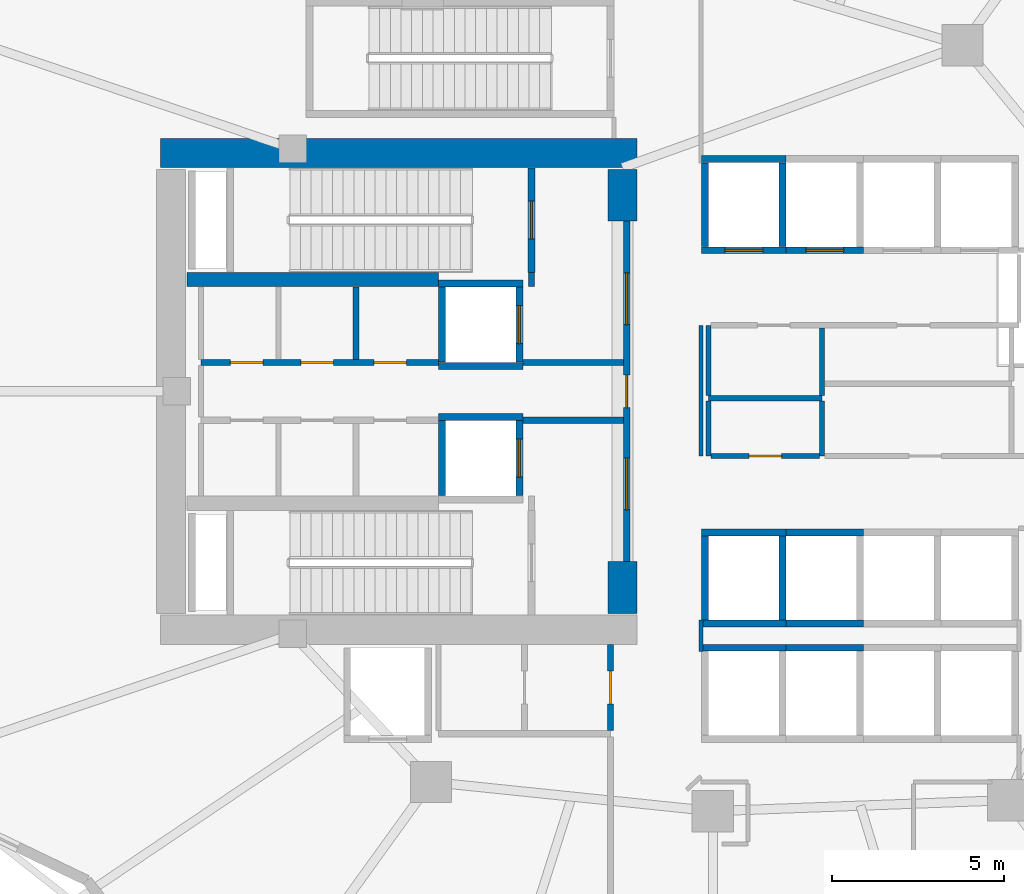
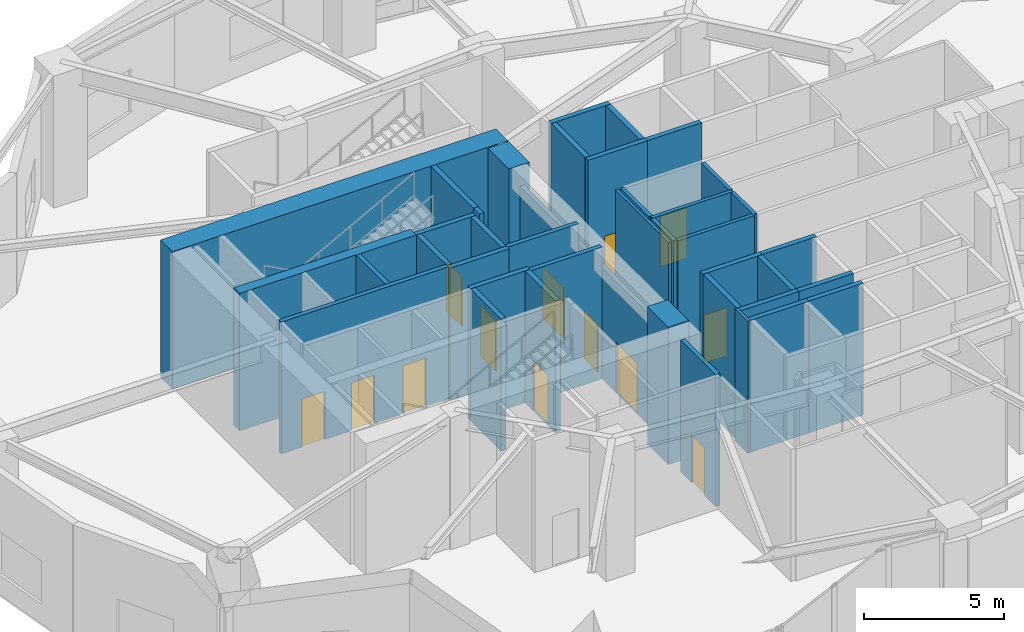
# One storey, part 16 of 25: 40 walls, 13 doors, 13 openings.
"""IFC4 building model written with IfcOpenShell, lengths in metres."""

from ifc_helpers import new_model, si_unit, direction, frame, frame_2d, origin, place, context, subcontext, project, spatial, rectangle, extrude, material, layer, layer_set, type_object, element, fill, save


model = new_model("IFC4")

# Units and contexts
model_context = context("Model", 3, precision=1e-05, world=origin(), true_north=direction((0.0, 1.0)))
body_context = subcontext(model_context, "Body", "Model", "MODEL_VIEW")
ifc_project = project(units=[si_unit("LENGTHUNIT", "METRE"), si_unit("AREAUNIT", "SQUARE_METRE"), si_unit("VOLUMEUNIT", "CUBIC_METRE"), si_unit("PLANEANGLEUNIT", "RADIAN"), si_unit("MASSUNIT", "GRAM", prefix="KILO")], contexts=[model_context])

# Site, building, storey
site_placement = place(None, origin())
site = spatial("IfcSite", under=ifc_project, at=site_placement, CompositionType="ELEMENT")
building_placement = place(site_placement, origin())
building = spatial("IfcBuilding", under=site, at=building_placement, Name="Kolvaren Gate Tower and Convention Centre", CompositionType="ELEMENT")
storey_placement = place(building_placement, frame((0.0, 0.0, 15.0)))
storey = spatial("IfcBuildingStorey", under=building, at=storey_placement, Name="L03", CompositionType="ELEMENT", Elevation=15.0)

# Wall
ifc_material_1 = material(Name="Autoclaved Aerated Masonry Blockwork Class 4 (4.0 MPa)", Category="masonry")
ifc_layer_1 = layer(ifc_material_1, 0.179931640625)
ifc_layer_set_1 = layer_set([ifc_layer_1], Name="Autoclaved Aerated Masonry Blockwork Class 4 (4.0 MPa)")
wall_type_1 = type_object("IfcWallType", Name="ARCH-WL-COMP-180", PredefinedType="SOLIDWALL", material=ifc_layer_set_1)
wall_1_placement = place(storey_placement, frame((24.85009765625, 30.0400390625, 0.0), z_axis=(0.0, 0.0, 1.0), x_axis=(0.0, 1.0, 0.0)))
element("IfcWall", 1, at=wall_1_placement, inside=storey, type_object=wall_type_1, Name="Interior Partition WL-L03-INT-002", PredefinedType="SOLIDWALL", context=body_context, shape_type="SweptSolid", body=[
    extrude(rectangle(XDim=0.419921875, YDim=0.179931640625, at=frame_2d((0.2099609375, 0.0))), origin(), (0.0, 0.0, 1.0), 5.760009765625),
])

# Wall, openings, doors
wall_2_placement = place(storey_placement, frame((27.6201171875, 22.050048828125, 0.0), z_axis=(0.0, 0.0, 1.0), x_axis=(0.0, 1.0, 0.0)))
wall_2 = element("IfcWall", 2, at=wall_2_placement, inside=storey, type_object=wall_type_1, Name="Interior Partition WL-L03-INT-003", PredefinedType="SOLIDWALL", context=body_context, shape_type="SweptSolid", body=[
    extrude(rectangle(XDim=9.89990234375, YDim=0.179931640625, at=frame_2d((4.949951171875, 0.0))), origin(), (0.0, 0.0, 1.0), 4.85205078125),
])
opening_1_placement = place(wall_2_placement, frame((4.47509765625, 0.0, 0.0)))
opening_1 = element("IfcOpeningElement", 3, at=opening_1_placement, cuts=wall_2, Name="Opening DR-01", PredefinedType="OPENING", context=body_context, shape_type="SweptSolid", body=[
    extrude(rectangle(XDim=0.949951171875, YDim=2.10009765625, at=frame_2d((0.47509765625, 1.050048828125))), frame((0.0, 0.099853515625, 0.0), z_axis=(0.0, -1.0, 0.0), x_axis=(1.0, 0.0, 0.0)), (0.0, 0.0, 1.0), 0.199951171875),
])
opening_2_placement = place(wall_2_placement, frame((6.889892578125, 0.0, 0.0)))
opening_2 = element("IfcOpeningElement", 4, at=opening_2_placement, cuts=wall_2, Name="Opening DL-01", PredefinedType="OPENING", context=body_context, shape_type="SweptSolid", body=[
    extrude(rectangle(XDim=1.5, YDim=2.199951171875, at=frame_2d((0.75, 1.10009765625))), frame((0.0, 0.099853515625, 0.0), z_axis=(0.0, -1.0, 0.0), x_axis=(1.0, 0.0, 0.0)), (0.0, 0.0, 1.0), 0.199951171875),
])
opening_3_placement = place(wall_2_placement, frame((1.510009765625, 0.0, 0.0)))
opening_3 = element("IfcOpeningElement", 5, at=opening_3_placement, cuts=wall_2, Name="Opening DL-01", PredefinedType="OPENING", context=body_context, shape_type="SweptSolid", body=[
    extrude(rectangle(XDim=1.5, YDim=2.199951171875, at=frame_2d((0.75, 1.10009765625))), frame((0.0, 0.099853515625, 0.0), z_axis=(0.0, -1.0, 0.0), x_axis=(1.0, 0.0, 0.0)), (0.0, 0.0, 1.0), 0.199951171875),
])
ifc_material_2 = material(Name="Painted Architectural Steelwork ASTM A500 Grade C 345 MPa", Category="steel")
door_type_1 = type_object("IfcDoorType", Name="ARCH-DR-LOBBY-1500", OperationType="DOUBLE_DOOR_SINGLE_SWING", PredefinedType="DOOR", material=ifc_material_2)
door_1_placement = place(opening_2_placement, origin())
door_1 = element("IfcDoor", 6, at=door_1_placement, inside=storey, type_object=door_type_1, Name="North Firefighting Stair and Lift Lobby Door", OperationType="DOUBLE_DOOR_SINGLE_SWING", OverallHeight=2.199951171875, OverallWidth=1.5, PredefinedType="DOOR", context=body_context, shape_type="SweptSolid", body=[
    extrude(rectangle(XDim=1.5, YDim=2.199951171875, at=frame_2d((0.75, 1.10009765625))), frame((0.0, 0.02490234375, 0.0), z_axis=(0.0, -1.0, 0.0), x_axis=(1.0, 0.0, 0.0)), (0.0, 0.0, 1.0), 0.050048828125),
])
fill(opening_2, door_1)
door_2_placement = place(opening_3_placement, origin())
door_2 = element("IfcDoor", 7, at=door_2_placement, inside=storey, type_object=door_type_1, Name="South Firefighting Stair and Lift Lobby Door", OperationType="DOUBLE_DOOR_SINGLE_SWING", OverallHeight=2.199951171875, OverallWidth=1.5, PredefinedType="DOOR", context=body_context, shape_type="SweptSolid", body=[
    extrude(rectangle(XDim=1.5, YDim=2.199951171875, at=frame_2d((0.75, 1.10009765625))), frame((0.0, 0.02490234375, 0.0), z_axis=(0.0, -1.0, 0.0), x_axis=(1.0, 0.0, 0.0)), (0.0, 0.0, 1.0), 0.050048828125),
])
fill(opening_3, door_2)
door_type_2 = type_object("IfcDoorType", Name="ARCH-DR-RISER-950", OperationType="SINGLE_SWING_RIGHT", PredefinedType="DOOR", material=ifc_material_2)
door_3_placement = place(opening_1_placement, origin())
door_3 = element("IfcDoor", 8, at=door_3_placement, inside=storey, type_object=door_type_2, Name="Central MEP Service Corridor Door", OperationType="SINGLE_SWING_RIGHT", OverallHeight=2.10009765625, OverallWidth=0.949951171875, PredefinedType="DOOR", context=body_context, shape_type="SweptSolid", body=[
    extrude(rectangle(XDim=0.949951171875, YDim=2.10009765625, at=frame_2d((0.47509765625, 1.050048828125))), frame((0.0, 0.02490234375, 0.0), z_axis=(0.0, -1.0, 0.0), x_axis=(1.0, 0.0, 0.0)), (0.0, 0.0, 1.0), 0.050048828125),
])
fill(opening_1, door_3)

wall_3_placement = place(storey_placement, frame((15.25, 27.840087890625, 0.0), z_axis=(0.0, 0.0, 1.0), x_axis=(1.0, 0.0, 0.0)))
wall_3 = element("IfcWall", 9, at=wall_3_placement, inside=storey, type_object=wall_type_1, Name="Interior Partition WL-L03-INT-004", PredefinedType="SOLIDWALL", context=body_context, shape_type="SweptSolid", body=[
    extrude(rectangle(XDim=6.89990234375, YDim=0.179931640625, at=frame_2d((3.449951171875, 0.0))), origin(), (0.0, 0.0, 1.0), 5.760009765625),
])
opening_4_placement = place(wall_3_placement, frame((5.02001953125, 0.0, 0.0)))
opening_4 = element("IfcOpeningElement", 10, at=opening_4_placement, cuts=wall_3, Name="Opening DR-01", PredefinedType="OPENING", context=body_context, shape_type="SweptSolid", body=[
    extrude(rectangle(XDim=0.949951171875, YDim=2.10009765625, at=frame_2d((0.47509765625, 1.050048828125))), frame((0.0, 0.099853515625, 0.0), z_axis=(0.0, -1.0, 0.0), x_axis=(1.0, 0.0, 0.0)), (0.0, 0.0, 1.0), 0.199951171875),
])
opening_5_placement = place(wall_3_placement, frame((0.85498046875, 0.0, 0.0)))
opening_5 = element("IfcOpeningElement", 11, at=opening_5_placement, cuts=wall_3, Name="Opening DR-01", PredefinedType="OPENING", context=body_context, shape_type="SweptSolid", body=[
    extrude(rectangle(XDim=0.949951171875, YDim=2.10009765625, at=frame_2d((0.47509765625, 1.050048828125))), frame((0.0, 0.099853515625, 0.0), z_axis=(0.0, -1.0, 0.0), x_axis=(1.0, 0.0, 0.0)), (0.0, 0.0, 1.0), 0.199951171875),
])
opening_6_placement = place(wall_3_placement, frame((2.89990234375, 0.0, 0.0)))
opening_6 = element("IfcOpeningElement", 12, at=opening_6_placement, cuts=wall_3, Name="Opening DR-01", PredefinedType="OPENING", context=body_context, shape_type="SweptSolid", body=[
    extrude(rectangle(XDim=0.949951171875, YDim=2.10009765625, at=frame_2d((0.47509765625, 1.050048828125))), frame((0.0, 0.099853515625, 0.0), z_axis=(0.0, -1.0, 0.0), x_axis=(1.0, 0.0, 0.0)), (0.0, 0.0, 1.0), 0.199951171875),
])
door_4_placement = place(opening_4_placement, origin())
door_4 = element("IfcDoor", 13, at=door_4_placement, inside=storey, type_object=door_type_2, Name="Electrical Switchgear Closet Door", OperationType="SINGLE_SWING_LEFT", OverallHeight=2.10009765625, OverallWidth=0.949951171875, PredefinedType="DOOR", context=body_context, shape_type="SweptSolid", body=[
    extrude(rectangle(XDim=0.949951171875, YDim=2.10009765625, at=frame_2d((0.47509765625, 1.050048828125))), frame((0.0, 0.02490234375, 0.0), z_axis=(0.0, -1.0, 0.0), x_axis=(1.0, 0.0, 0.0)), (0.0, 0.0, 1.0), 0.050048828125),
])
fill(opening_4, door_4)
door_5_placement = place(opening_5_placement, origin())
door_5 = element("IfcDoor", 14, at=door_5_placement, inside=storey, type_object=door_type_2, Name="Staff Accessible WC Door", OperationType="SINGLE_SWING_LEFT", OverallHeight=2.10009765625, OverallWidth=0.949951171875, PredefinedType="DOOR", context=body_context, shape_type="SweptSolid", body=[
    extrude(rectangle(XDim=0.949951171875, YDim=2.10009765625, at=frame_2d((0.47509765625, 1.050048828125))), frame((0.0, 0.02490234375, 0.0), z_axis=(0.0, -1.0, 0.0), x_axis=(1.0, 0.0, 0.0)), (0.0, 0.0, 1.0), 0.050048828125),
])
fill(opening_5, door_5)
door_6_placement = place(opening_6_placement, origin())
door_6 = element("IfcDoor", 15, at=door_6_placement, inside=storey, type_object=door_type_2, Name="Housekeeping Sink Closet Door", OperationType="SINGLE_SWING_RIGHT", OverallHeight=2.10009765625, OverallWidth=0.949951171875, PredefinedType="DOOR", context=body_context, shape_type="SweptSolid", body=[
    extrude(rectangle(XDim=0.949951171875, YDim=2.10009765625, at=frame_2d((0.47509765625, 1.050048828125))), frame((0.0, 0.02490234375, 0.0), z_axis=(0.0, -1.0, 0.0), x_axis=(1.0, 0.0, 0.0)), (0.0, 0.0, 1.0), 0.050048828125),
])
fill(opening_6, door_6)

# Walls
for number, where, z_axis, x_axis, name in (
    (16, (24.60009765625, 27.840087890625, 0.0), (0.0, 0.0, 1.0), (1.0, 0.0, 0.0), "Interior Partition WL-L03-INT-004 (2)"),
    (17, (24.60009765625, 26.159912109375, 0.0), (0.0, 0.0, 1.0), (1.0, 0.0, 0.0), "Interior Partition WL-L03-INT-005 (2)"),
):
    element("IfcWall", number, at=place(storey_placement, frame(where, z_axis=z_axis, x_axis=x_axis)), inside=storey, type_object=wall_type_1, Name=name, PredefinedType="SOLIDWALL", context=body_context, shape_type="SweptSolid", body=[
        extrude(rectangle(XDim=2.927978515625, YDim=0.179931640625, at=frame_2d((1.4638671875, 0.0))), origin(), (0.0, 0.0, 1.0), 5.760009765625),
    ])
wall_4_placement = place(storey_placement, frame((19.75, 27.931884765625, 0.0), z_axis=(0.0, 0.0, 1.0), x_axis=(0.0, 1.0, 0.0)))
element("IfcWall", 18, at=wall_4_placement, inside=storey, type_object=wall_type_1, Name="Interior Partition WL-L03-INT-008", PredefinedType="SOLIDWALL", context=body_context, shape_type="SweptSolid", body=[
    extrude(rectangle(XDim=2.106201171875, YDim=0.179931640625, at=frame_2d((1.05322265625, 0.0))), origin(), (0.0, 0.0, 1.0), 5.760009765625),
])

# Wall, opening, door
wall_5_placement = place(storey_placement, frame((27.14990234375, 17.14208984375, 0.0), z_axis=(0.0, 0.0, 1.0), x_axis=(0.0, 1.0, 0.0)))
wall_5 = element("IfcWall", 19, at=wall_5_placement, inside=storey, type_object=wall_type_1, Name="Interior Partition WL-L03-INT-014 (2)", PredefinedType="SOLIDWALL", context=body_context, shape_type="SweptSolid", body=[
    extrude(rectangle(XDim=2.505859375, YDim=0.179931640625, at=frame_2d((1.2529296875, 0.0))), origin(), (0.0, 0.0, 1.0), 5.760009765625),
])
opening_7_placement = place(wall_5_placement, frame((0.778076171875, 0.0, 0.0)))
opening_7 = element("IfcOpeningElement", 20, at=opening_7_placement, cuts=wall_5, Name="Opening DR-01", PredefinedType="OPENING", context=body_context, shape_type="SweptSolid", body=[
    extrude(rectangle(XDim=0.949951171875, YDim=2.10009765625, at=frame_2d((0.47509765625, 1.050048828125))), frame((0.0, 0.099853515625, 0.0), z_axis=(0.0, -1.0, 0.0), x_axis=(1.0, 0.0, 0.0)), (0.0, 0.0, 1.0), 0.199951171875),
])
door_7_placement = place(opening_7_placement, origin())
door_7 = element("IfcDoor", 21, at=door_7_placement, inside=storey, type_object=door_type_2, Name="Metering Switch Room Door", OperationType="SINGLE_SWING_LEFT", OverallHeight=2.10009765625, OverallWidth=0.949951171875, PredefinedType="DOOR", context=body_context, shape_type="SweptSolid", body=[
    extrude(rectangle(XDim=0.949951171875, YDim=2.10009765625, at=frame_2d((0.47509765625, 1.050048828125))), frame((0.0, 0.02490234375, 0.0), z_axis=(0.0, -1.0, 0.0), x_axis=(1.0, 0.0, 0.0)), (0.0, 0.0, 1.0), 0.050048828125),
])
fill(opening_7, door_7)

# Walls
ifc_material_3 = material(Name="Fire-Rated Acoustic Gypsum Stud Partition", Category="gypsum")
ifc_layer_2 = layer(ifc_material_3, 0.1201171875)
ifc_layer_set_2 = layer_set([ifc_layer_2], Name="Fire-Rated Acoustic Gypsum Stud Partition")
wall_type_2 = type_object("IfcWallType", Name="ARCH-WL-PART-120", PredefinedType="PARTITIONING", material=ifc_layer_set_2)
wall_6_placement = place(storey_placement, frame((29.780029296875, 19.43994140625, 0.0), z_axis=(0.0, 0.0, 1.0), x_axis=(0.0, 1.0, 0.0)))
element("IfcWall", 22, at=wall_6_placement, inside=storey, type_object=wall_type_2, Name="Interior Partition WL-L03-INT-028", PredefinedType="PARTITIONING", context=body_context, shape_type="SweptSolid", body=[
    extrude(rectangle(XDim=0.920166015625, YDim=0.1201171875, at=frame_2d((0.4599609375, 0.0))), origin(), (0.0, 0.0, 1.0), 5.760009765625),
])
wall_7_placement = place(storey_placement, frame((29.780029296875, 25.1201171875, 0.0), z_axis=(0.0, 0.0, 1.0), x_axis=(0.0, 1.0, 0.0)))
element("IfcWall", 23, at=wall_7_placement, inside=storey, type_object=wall_type_2, Name="Interior Partition WL-L03-INT-029", PredefinedType="PARTITIONING", context=body_context, shape_type="SweptSolid", body=[
    extrude(rectangle(XDim=3.7998046875, YDim=0.1201171875, at=frame_2d((1.89990234375, 0.0))), origin(), (0.0, 0.0, 1.0), 5.760009765625),
])
ifc_layer_3 = layer(ifc_material_1, 0.199951171875)
ifc_layer_set_3 = layer_set([ifc_layer_3], Name="Autoclaved Aerated Masonry Blockwork Class 4 (4.0 MPa)")
wall_type_3 = type_object("IfcWallType", Name="ARCH-WL-SHAFT-200", PredefinedType="SOLIDWALL", material=ifc_layer_set_3)
for number, where, z_axis, x_axis, name in (
    (24, (22.14990234375, 30.139892578125, 0.0), (0.0, 0.0, 1.0), (1.0, 0.0, 0.0), "Elevator FF-01 L03 Fire Shaft Wall N"),
    (25, (22.14990234375, 27.739990234375, 0.0), (0.0, 0.0, 1.0), (1.0, 0.0, 0.0), "Elevator FF-01 L03 Fire Shaft Wall S"),
):
    element("IfcWall", number, at=place(storey_placement, frame(where, z_axis=z_axis, x_axis=x_axis)), inside=storey, type_object=wall_type_3, Name=name, PredefinedType="SOLIDWALL", context=body_context, shape_type="SweptSolid", body=[
        extrude(rectangle(XDim=2.4501953125, YDim=0.199951171875, at=frame_2d((1.22509765625, 0.0))), origin(), (0.0, 0.0, 1.0), 5.760009765625),
    ])
wall_8_placement = place(storey_placement, frame((22.25, 27.85009765625, 0.0), z_axis=(0.0, 0.0, 1.0), x_axis=(0.0, 1.0, 0.0)))
element("IfcWall", 26, at=wall_8_placement, inside=storey, type_object=wall_type_3, Name="Elevator FF-01 L03 Fire Shaft Wall W", PredefinedType="SOLIDWALL", context=body_context, shape_type="SweptSolid", body=[
    extrude(rectangle(XDim=2.179931640625, YDim=0.199951171875, at=frame_2d((1.08984375, 0.0))), origin(), (0.0, 0.0, 1.0), 5.760009765625),
])

# Wall, opening, door
wall_9_placement = place(storey_placement, frame((24.5, 27.85009765625, 0.0), z_axis=(0.0, 0.0, 1.0), x_axis=(0.0, 1.0, 0.0)))
wall_9 = element("IfcWall", 27, at=wall_9_placement, inside=storey, type_object=wall_type_3, Name="Elevator FF-01 L03 Fire Shaft Wall E", PredefinedType="SOLIDWALL", context=body_context, shape_type="SweptSolid", body=[
    extrude(rectangle(XDim=2.179931640625, YDim=0.199951171875, at=frame_2d((1.08984375, 0.0))), origin(), (0.0, 0.0, 1.0), 5.760009765625),
])
opening_8_placement = place(wall_9_placement, frame((0.5400390625, 0.0, 0.0)))
opening_8 = element("IfcOpeningElement", 28, at=opening_8_placement, cuts=wall_9, Name="Opening LD", PredefinedType="OPENING", context=body_context, shape_type="SweptSolid", body=[
    extrude(rectangle(XDim=1.10009765625, YDim=2.199951171875, at=frame_2d((0.550048828125, 1.10009765625))), frame((0.0, 0.10986328125, 0.0), z_axis=(0.0, -1.0, 0.0), x_axis=(1.0, 0.0, 0.0)), (0.0, 0.0, 1.0), 0.219970703125),
])
ifc_material_4 = material(Name="Brushed Stainless Steel Grade 316L", Category="steel")
door_type_3 = type_object("IfcDoorType", Name="ARCH-DR-LIFT-1100", OperationType="SLIDING_TO_LEFT", PredefinedType="DOOR", material=ifc_material_4)
door_8_placement = place(opening_8_placement, origin())
door_8 = element("IfcDoor", 29, at=door_8_placement, inside=storey, type_object=door_type_3, Name="Elevator FF-01 L03 Sliding Landing Door", OperationType="SLIDING_TO_LEFT", OverallHeight=2.199951171875, OverallWidth=1.10009765625, PredefinedType="DOOR", context=body_context, shape_type="SweptSolid", body=[
    extrude(rectangle(XDim=1.10009765625, YDim=2.199951171875, at=frame_2d((0.550048828125, 1.10009765625))), frame((0.0, 0.02490234375, 0.0), z_axis=(0.0, -1.0, 0.0), x_axis=(1.0, 0.0, 0.0)), (0.0, 0.0, 1.0), 0.050048828125),
])
fill(opening_8, door_8)

# Walls
wall_10_placement = place(storey_placement, frame((22.14990234375, 26.260009765625, 0.0), z_axis=(0.0, 0.0, 1.0), x_axis=(1.0, 0.0, 0.0)))
element("IfcWall", 30, at=wall_10_placement, inside=storey, type_object=wall_type_3, Name="Elevator FF-02 L03 Fire Shaft Wall N", PredefinedType="SOLIDWALL", context=body_context, shape_type="SweptSolid", body=[
    extrude(rectangle(XDim=2.4501953125, YDim=0.199951171875, at=frame_2d((1.22509765625, 0.0))), origin(), (0.0, 0.0, 1.0), 5.760009765625),
])
wall_11_placement = place(storey_placement, frame((22.25, 23.969970703125, 0.0), z_axis=(0.0, 0.0, 1.0), x_axis=(0.0, 1.0, 0.0)))
element("IfcWall", 31, at=wall_11_placement, inside=storey, type_object=wall_type_3, Name="Elevator FF-02 L03 Fire Shaft Wall W", PredefinedType="SOLIDWALL", context=body_context, shape_type="SweptSolid", body=[
    extrude(rectangle(XDim=2.179931640625, YDim=0.199951171875, at=frame_2d((1.08984375, 0.0))), origin(), (0.0, 0.0, 1.0), 5.760009765625),
])

# Wall, opening, door
wall_12_placement = place(storey_placement, frame((24.5, 23.969970703125, 0.0), z_axis=(0.0, 0.0, 1.0), x_axis=(0.0, 1.0, 0.0)))
wall_12 = element("IfcWall", 32, at=wall_12_placement, inside=storey, type_object=wall_type_3, Name="Elevator FF-02 L03 Fire Shaft Wall E", PredefinedType="SOLIDWALL", context=body_context, shape_type="SweptSolid", body=[
    extrude(rectangle(XDim=2.179931640625, YDim=0.199951171875, at=frame_2d((1.08984375, 0.0))), origin(), (0.0, 0.0, 1.0), 5.760009765625),
])
opening_9_placement = place(wall_12_placement, frame((0.5400390625, 0.0, 0.0)))
opening_9 = element("IfcOpeningElement", 33, at=opening_9_placement, cuts=wall_12, Name="Opening LD", PredefinedType="OPENING", context=body_context, shape_type="SweptSolid", body=[
    extrude(rectangle(XDim=1.10009765625, YDim=2.199951171875, at=frame_2d((0.550048828125, 1.10009765625))), frame((0.0, 0.10986328125, 0.0), z_axis=(0.0, -1.0, 0.0), x_axis=(1.0, 0.0, 0.0)), (0.0, 0.0, 1.0), 0.219970703125),
])
door_9_placement = place(opening_9_placement, origin())
door_9 = element("IfcDoor", 34, at=door_9_placement, inside=storey, type_object=door_type_3, Name="Elevator FF-02 L03 Sliding Landing Door", OperationType="SLIDING_TO_LEFT", OverallHeight=2.199951171875, OverallWidth=1.10009765625, PredefinedType="DOOR", context=body_context, shape_type="SweptSolid", body=[
    extrude(rectangle(XDim=1.10009765625, YDim=2.199951171875, at=frame_2d((0.550048828125, 1.10009765625))), frame((0.0, 0.02490234375, 0.0), z_axis=(0.0, -1.0, 0.0), x_axis=(1.0, 0.0, 0.0)), (0.0, 0.0, 1.0), 0.050048828125),
])
fill(opening_9, door_9)

# Wall
wall_13_placement = place(storey_placement, frame((29.800048828125, 33.75, 0.0), z_axis=(0.0, 0.0, 1.0), x_axis=(1.0, 0.0, 0.0)))
element("IfcWall", 35, at=wall_13_placement, inside=storey, type_object=wall_type_3, Name="Elevator PL-01 L03 Fire Shaft Wall N", PredefinedType="SOLIDWALL", context=body_context, shape_type="SweptSolid", body=[
    extrude(rectangle(XDim=2.449951171875, YDim=0.199951171875, at=frame_2d((1.22509765625, 0.0))), origin(), (0.0, 0.0, 1.0), 5.760009765625),
])

# Wall, opening, door
wall_14_placement = place(storey_placement, frame((29.800048828125, 31.10009765625, 0.0), z_axis=(0.0, 0.0, 1.0), x_axis=(1.0, 0.0, 0.0)))
wall_14 = element("IfcWall", 36, at=wall_14_placement, inside=storey, type_object=wall_type_3, Name="Elevator PL-01 L03 Fire Shaft Wall S", PredefinedType="SOLIDWALL", context=body_context, shape_type="SweptSolid", body=[
    extrude(rectangle(XDim=2.449951171875, YDim=0.199951171875, at=frame_2d((1.22509765625, 0.0))), origin(), (0.0, 0.0, 1.0), 5.760009765625),
])
opening_10_placement = place(wall_14_placement, frame((0.675048828125, 0.0, 0.0)))
opening_10 = element("IfcOpeningElement", 37, at=opening_10_placement, cuts=wall_14, Name="Opening LD", PredefinedType="OPENING", context=body_context, shape_type="SweptSolid", body=[
    extrude(rectangle(XDim=1.10009765625, YDim=2.199951171875, at=frame_2d((0.550048828125, 1.10009765625))), frame((0.0, 0.10986328125, 0.0), z_axis=(0.0, -1.0, 0.0), x_axis=(1.0, 0.0, 0.0)), (0.0, 0.0, 1.0), 0.219970703125),
])
door_10_placement = place(opening_10_placement, origin())
door_10 = element("IfcDoor", 38, at=door_10_placement, inside=storey, type_object=door_type_3, Name="Elevator PL-01 L03 Sliding Landing Door", OperationType="SLIDING_TO_LEFT", OverallHeight=2.199951171875, OverallWidth=1.10009765625, PredefinedType="DOOR", context=body_context, shape_type="SweptSolid", body=[
    extrude(rectangle(XDim=1.10009765625, YDim=2.199951171875, at=frame_2d((0.550048828125, 1.10009765625))), frame((0.0, 0.02490234375, 0.0), z_axis=(0.0, -1.0, 0.0), x_axis=(1.0, 0.0, 0.0)), (0.0, 0.0, 1.0), 0.050048828125),
])
fill(opening_10, door_10)

# Walls
for number, where, z_axis, x_axis, name in (
    (39, (29.89990234375, 31.2099609375, 0.0), (0.0, 0.0, 1.0), (0.0, 1.0, 0.0), "Elevator PL-01 L03 Fire Shaft Wall W"),
    (40, (32.14990234375, 31.2099609375, 0.0), (0.0, 0.0, 1.0), (0.0, 1.0, 0.0), "Elevator PL-01 L03 Fire Shaft Wall E"),
):
    element("IfcWall", number, at=place(storey_placement, frame(where, z_axis=z_axis, x_axis=x_axis)), inside=storey, type_object=wall_type_3, Name=name, PredefinedType="SOLIDWALL", context=body_context, shape_type="SweptSolid", body=[
        extrude(rectangle(XDim=2.429931640625, YDim=0.199951171875, at=frame_2d((1.21484375, 0.0))), origin(), (0.0, 0.0, 1.0), 5.760009765625),
    ])

# Wall, opening, door
wall_15_placement = place(storey_placement, frame((32.25, 31.10009765625, 0.0), z_axis=(0.0, 0.0, 1.0), x_axis=(1.0, 0.0, 0.0)))
wall_15 = element("IfcWall", 41, at=wall_15_placement, inside=storey, type_object=wall_type_3, Name="Elevator PL-02 L03 Fire Shaft Wall S", PredefinedType="SOLIDWALL", context=body_context, shape_type="SweptSolid", body=[
    extrude(rectangle(XDim=2.25, YDim=0.199951171875, at=frame_2d((1.125, 0.0))), origin(), (0.0, 0.0, 1.0), 5.760009765625),
])
opening_11_placement = place(wall_15_placement, frame((0.574951171875, 0.0, 0.0)))
opening_11 = element("IfcOpeningElement", 42, at=opening_11_placement, cuts=wall_15, Name="Opening LD", PredefinedType="OPENING", context=body_context, shape_type="SweptSolid", body=[
    extrude(rectangle(XDim=1.10009765625, YDim=2.199951171875, at=frame_2d((0.550048828125, 1.10009765625))), frame((0.0, 0.10986328125, 0.0), z_axis=(0.0, -1.0, 0.0), x_axis=(1.0, 0.0, 0.0)), (0.0, 0.0, 1.0), 0.219970703125),
])
door_11_placement = place(opening_11_placement, origin())
door_11 = element("IfcDoor", 43, at=door_11_placement, inside=storey, type_object=door_type_3, Name="Elevator PL-02 L03 Sliding Landing Door", OperationType="SLIDING_TO_LEFT", OverallHeight=2.199951171875, OverallWidth=1.10009765625, PredefinedType="DOOR", context=body_context, shape_type="SweptSolid", body=[
    extrude(rectangle(XDim=1.10009765625, YDim=2.199951171875, at=frame_2d((0.550048828125, 1.10009765625))), frame((0.0, 0.02490234375, 0.0), z_axis=(0.0, -1.0, 0.0), x_axis=(1.0, 0.0, 0.0)), (0.0, 0.0, 1.0), 0.050048828125),
])
fill(opening_11, door_11)

# Walls
wall_16_placement = place(storey_placement, frame((29.800048828125, 19.550048828125, 0.0), z_axis=(0.0, 0.0, 1.0), x_axis=(1.0, 0.0, 0.0)))
element("IfcWall", 44, at=wall_16_placement, inside=storey, type_object=wall_type_3, Name="Elevator PL-05 L03 Fire Shaft Wall N", PredefinedType="SOLIDWALL", context=body_context, shape_type="SweptSolid", body=[
    extrude(rectangle(XDim=2.449951171875, YDim=0.199951171875, at=frame_2d((1.22509765625, 0.0))), origin(), (0.0, 0.0, 1.0), 5.760009765625),
])
wall_17_placement = place(storey_placement, frame((32.25, 19.550048828125, 0.0), z_axis=(0.0, 0.0, 1.0), x_axis=(1.0, 0.0, 0.0)))
element("IfcWall", 45, at=wall_17_placement, inside=storey, type_object=wall_type_3, Name="Elevator PL-06 L03 Fire Shaft Wall N", PredefinedType="SOLIDWALL", context=body_context, shape_type="SweptSolid", body=[
    extrude(rectangle(XDim=2.25, YDim=0.199951171875, at=frame_2d((1.125, 0.0))), origin(), (0.0, 0.0, 1.0), 5.760009765625),
])
for number, where, z_axis, x_axis, name in (
    (46, (29.800048828125, 22.89990234375, 0.0), (0.0, 0.0, 1.0), (1.0, 0.0, 0.0), "Elevator PL-09 L03 Fire Shaft Wall N"),
    (47, (29.800048828125, 20.25, 0.0), (0.0, 0.0, 1.0), (1.0, 0.0, 0.0), "Elevator PL-09 L03 Fire Shaft Wall S"),
):
    element("IfcWall", number, at=place(storey_placement, frame(where, z_axis=z_axis, x_axis=x_axis)), inside=storey, type_object=wall_type_3, Name=name, PredefinedType="SOLIDWALL", context=body_context, shape_type="SweptSolid", body=[
        extrude(rectangle(XDim=2.449951171875, YDim=0.199951171875, at=frame_2d((1.22509765625, 0.0))), origin(), (0.0, 0.0, 1.0), 5.760009765625),
    ])
for number, where, z_axis, x_axis, name in (
    (48, (29.89990234375, 20.360107421875, 0.0), (0.0, 0.0, 1.0), (0.0, 1.0, 0.0), "Elevator PL-09 L03 Fire Shaft Wall W"),
    (49, (32.14990234375, 20.360107421875, 0.0), (0.0, 0.0, 1.0), (0.0, 1.0, 0.0), "Elevator PL-09 L03 Fire Shaft Wall E"),
):
    element("IfcWall", number, at=place(storey_placement, frame(where, z_axis=z_axis, x_axis=x_axis)), inside=storey, type_object=wall_type_3, Name=name, PredefinedType="SOLIDWALL", context=body_context, shape_type="SweptSolid", body=[
        extrude(rectangle(XDim=2.429931640625, YDim=0.199951171875, at=frame_2d((1.21484375, 0.0))), origin(), (0.0, 0.0, 1.0), 5.760009765625),
    ])
for number, where, z_axis, x_axis, name in (
    (50, (32.25, 22.89990234375, 0.0), (0.0, 0.0, 1.0), (1.0, 0.0, 0.0), "Elevator PL-10 L03 Fire Shaft Wall N"),
    (51, (32.25, 20.25, 0.0), (0.0, 0.0, 1.0), (1.0, 0.0, 0.0), "Elevator PL-10 L03 Fire Shaft Wall S"),
):
    element("IfcWall", number, at=place(storey_placement, frame(where, z_axis=z_axis, x_axis=x_axis)), inside=storey, type_object=wall_type_3, Name=name, PredefinedType="SOLIDWALL", context=body_context, shape_type="SweptSolid", body=[
        extrude(rectangle(XDim=2.25, YDim=0.199951171875, at=frame_2d((1.125, 0.0))), origin(), (0.0, 0.0, 1.0), 5.760009765625),
    ])
ifc_material_5 = material(Name="Moisture-Resistant Cement-Board Acoustic Partition", Category="gypsum")
ifc_layer_4 = layer(ifc_material_5, 0.14990234375)
ifc_layer_set_4 = layer_set([ifc_layer_4], Name="Moisture-Resistant Cement-Board Acoustic Partition")
wall_type_4 = type_object("IfcWallType", Name="ARCH-WL-WET-150", PredefinedType="PARTITIONING", material=ifc_layer_set_4)
wall_18_placement = place(storey_placement, frame((30.0, 26.800048828125, 0.0), z_axis=(0.0, 0.0, 1.0), x_axis=(1.0, 0.0, 0.0)))
element("IfcWall", 52, at=wall_18_placement, inside=storey, type_object=wall_type_4, Name="Interior Partition WL-L03-INT-015", PredefinedType="PARTITIONING", context=body_context, shape_type="SweptSolid", body=[
    extrude(rectangle(XDim=3.300048828125, YDim=0.14990234375, at=frame_2d((1.64990234375, 0.0))), origin(), (0.0, 0.0, 1.0), 5.760009765625),
])
wall_19_placement = place(storey_placement, frame((30.0, 25.1201171875, 0.0), z_axis=(0.0, 0.0, 1.0), x_axis=(0.0, 1.0, 0.0)))
element("IfcWall", 53, at=wall_19_placement, inside=storey, type_object=wall_type_4, Name="Interior Partition WL-L03-INT-016", PredefinedType="PARTITIONING", context=body_context, shape_type="SweptSolid", body=[
    extrude(rectangle(XDim=1.602783203125, YDim=0.14990234375, at=frame_2d((0.80126953125, 0.0))), origin(), (0.0, 0.0, 1.0), 5.760009765625),
])
wall_20_placement = place(storey_placement, frame((30.0, 26.876953125, 0.0), z_axis=(0.0, 0.0, 1.0), x_axis=(0.0, 1.0, 0.0)))
element("IfcWall", 54, at=wall_20_placement, inside=storey, type_object=wall_type_4, Name="Interior Partition WL-L03-INT-016 (2)", PredefinedType="PARTITIONING", context=body_context, shape_type="SweptSolid", body=[
    extrude(rectangle(XDim=2.04296875, YDim=0.14990234375, at=frame_2d((1.021484375, 0.0))), origin(), (0.0, 0.0, 1.0), 5.760009765625),
])
wall_21_placement = place(storey_placement, frame((33.300048828125, 25.1201171875, 0.0), z_axis=(0.0, 0.0, 1.0), x_axis=(0.0, 1.0, 0.0)))
element("IfcWall", 55, at=wall_21_placement, inside=storey, type_object=wall_type_4, Name="Interior Partition WL-L03-INT-018", PredefinedType="PARTITIONING", context=body_context, shape_type="SweptSolid", body=[
    extrude(rectangle(XDim=1.602783203125, YDim=0.14990234375, at=frame_2d((0.80126953125, 0.0))), origin(), (0.0, 0.0, 1.0), 5.760009765625),
])
wall_22_placement = place(storey_placement, frame((33.300048828125, 26.876953125, 0.0), z_axis=(0.0, 0.0, 1.0), x_axis=(0.0, 1.0, 0.0)))
element("IfcWall", 56, at=wall_22_placement, inside=storey, type_object=wall_type_4, Name="Interior Partition WL-L03-INT-018 (2)", PredefinedType="PARTITIONING", context=body_context, shape_type="SweptSolid", body=[
    extrude(rectangle(XDim=1.966064453125, YDim=0.14990234375, at=frame_2d((0.98291015625, 0.0))), origin(), (0.0, 0.0, 1.0), 5.760009765625),
])

# Wall, opening, door
wall_23_placement = place(storey_placement, frame((30.076904296875, 25.1201171875, 0.0), z_axis=(0.0, 0.0, 1.0), x_axis=(1.0, 0.0, 0.0)))
wall_23 = element("IfcWall", 57, at=wall_23_placement, inside=storey, type_object=wall_type_4, Name="Interior Partition WL-L03-INT-019", PredefinedType="PARTITIONING", context=body_context, shape_type="SweptSolid", body=[
    extrude(rectangle(XDim=3.14599609375, YDim=0.14990234375, at=frame_2d((1.572998046875, 0.0))), origin(), (0.0, 0.0, 1.0), 5.760009765625),
])
opening_12_placement = place(wall_23_placement, frame((1.097900390625, 0.0, 0.0)))
opening_12 = element("IfcOpeningElement", 58, at=opening_12_placement, cuts=wall_23, Name="Opening DR-01", PredefinedType="OPENING", context=body_context, shape_type="SweptSolid", body=[
    extrude(rectangle(XDim=0.949951171875, YDim=2.10009765625, at=frame_2d((0.47509765625, 1.050048828125))), frame((0.0, 0.0849609375, 0.0), z_axis=(0.0, -1.0, 0.0), x_axis=(1.0, 0.0, 0.0)), (0.0, 0.0, 1.0), 0.169921875),
])
door_12_placement = place(opening_12_placement, origin())
door_12 = element("IfcDoor", 59, at=door_12_placement, inside=storey, type_object=door_type_2, Name="South Visitor Washroom Door", OperationType="SINGLE_SWING_LEFT", OverallHeight=2.10009765625, OverallWidth=0.949951171875, PredefinedType="DOOR", context=body_context, shape_type="SweptSolid", body=[
    extrude(rectangle(XDim=0.949951171875, YDim=2.10009765625, at=frame_2d((0.47509765625, 1.050048828125))), frame((0.0, 0.02490234375, 0.0), z_axis=(0.0, -1.0, 0.0), x_axis=(1.0, 0.0, 0.0)), (0.0, 0.0, 1.0), 0.050048828125),
])
fill(opening_12, door_12)

# Walls
ifc_material_6 = material(Name="Concrete C50/60", Category="concrete")
ifc_layer_5 = layer(ifc_material_6, 0.419921875)
ifc_layer_set_5 = layer_set([ifc_layer_5], Name="Concrete C50/60")
wall_type_5 = type_object("IfcWallType", Name="STR-WL-CONV-420", PredefinedType="SHEAR", material=ifc_layer_set_5)
wall_24_placement = place(storey_placement, frame((14.85009765625, 30.25, -0.239990234375), z_axis=(0.0, 0.0, 1.0), x_axis=(1.0, 0.0, 0.0)))
element("IfcWall", 60, at=wall_24_placement, inside=storey, type_object=wall_type_5, Name="Tower L03 Offset Core Shear Wall WN", PredefinedType="SHEAR", context=body_context, shape_type="SweptSolid", body=[
    extrude(rectangle(XDim=7.2998046875, YDim=0.419921875, at=frame_2d((3.64990234375, 0.0))), origin(), (0.0, 0.0, 1.0), 6.0),
])
ifc_material_7 = material(Name="Concrete C70/85", Category="concrete")
ifc_layer_6 = layer(ifc_material_7, 0.85009765625)
ifc_layer_set_6 = layer_set([ifc_layer_6], Name="Concrete C70/85")
wall_type_6 = type_object("IfcWallType", Name="STR-WL-CORE-850", PredefinedType="SHEAR", material=ifc_layer_set_6)
wall_25_placement = place(storey_placement, frame((14.074951171875, 33.925048828125, -0.239990234375), z_axis=(0.0, 0.0, 1.0), x_axis=(1.0, 0.0, 0.0)))
element("IfcWall", 61, at=wall_25_placement, inside=storey, type_object=wall_type_6, Name="Tower L03 Offset Core Shear Wall N", PredefinedType="SHEAR", context=body_context, shape_type="SweptSolid", body=[
    extrude(rectangle(XDim=13.85009765625, YDim=0.85009765625, at=frame_2d((6.925048828125, 0.0))), origin(), (0.0, 0.0, 1.0), 6.0),
])
for number, where, z_axis, x_axis, name in (
    (62, (27.5, 31.949951171875, -0.239990234375), (0.0, 0.0, 1.0), (0.0, 1.0, 0.0), "Tower L03 Offset Core Shear Wall EN"),
    (63, (27.5, 20.550048828125, -0.239990234375), (0.0, 0.0, 1.0), (0.0, 1.0, 0.0), "Tower L03 Offset Core Shear Wall ES"),
):
    element("IfcWall", number, at=place(storey_placement, frame(where, z_axis=z_axis, x_axis=x_axis)), inside=storey, type_object=wall_type_6, Name=name, PredefinedType="SHEAR", context=body_context, shape_type="SweptSolid", body=[
        extrude(rectangle(XDim=1.5, YDim=0.85009765625, at=frame_2d((0.75, 0.0))), origin(), (0.0, 0.0, 1.0), 6.0),
    ])

# Wall, opening, door
ifc_layer_7 = layer(ifc_material_6, 0.199951171875)
ifc_layer_set_7 = layer_set([ifc_layer_7], Name="Concrete C50/60")
wall_type_7 = type_object("IfcWallType", Name="STR-WL-SHAFT-200", PredefinedType="SHEAR", material=ifc_layer_set_7)
wall_26_placement = place(storey_placement, frame((24.85009765625, 30.4599609375, -0.239990234375), z_axis=(0.0, 0.0, 1.0), x_axis=(0.0, 1.0, 0.0)))
wall_26 = element("IfcWall", 64, at=wall_26_placement, inside=storey, type_object=wall_type_7, Name="Tower North Exit Stair ST-T1 L03 Structural Shear Enclosure Wall NEAR", PredefinedType="SHEAR", context=body_context, shape_type="SweptSolid", body=[
    extrude(rectangle(XDim=3.0380859375, YDim=0.199951171875, at=frame_2d((1.51904296875, 0.0))), origin(), (0.0, 0.0, 1.0), 6.0),
])
opening_13_placement = place(wall_26_placement, frame((0.968994140625, 0.0, 0.239990234375)))
opening_13 = element("IfcOpeningElement", 65, at=opening_13_placement, cuts=wall_26, Name="Opening DS-01", PredefinedType="OPENING", context=body_context, shape_type="SweptSolid", body=[
    extrude(rectangle(XDim=1.10009765625, YDim=2.14990234375, at=frame_2d((0.550048828125, 1.074951171875))), frame((0.0, 0.10986328125, 0.0), z_axis=(0.0, -1.0, 0.0), x_axis=(1.0, 0.0, 0.0)), (0.0, 0.0, 1.0), 0.219970703125),
])
door_type_4 = type_object("IfcDoorType", Name="ARCH-DR-STAIR-1100", OperationType="SINGLE_SWING_LEFT", PredefinedType="DOOR", material=ifc_material_2)
door_13_placement = place(opening_13_placement, origin())
door_13 = element("IfcDoor", 66, at=door_13_placement, inside=storey, type_object=door_type_4, Name="Tower North Exit Stair ST-T1 L03 Fire Exit Stair Door", OperationType="SINGLE_SWING_LEFT", OverallHeight=2.14990234375, OverallWidth=1.10009765625, PredefinedType="DOOR", context=body_context, shape_type="SweptSolid", body=[
    extrude(rectangle(XDim=1.10009765625, YDim=2.14990234375, at=frame_2d((0.550048828125, 1.074951171875))), frame((0.0, 0.02490234375, 0.0), z_axis=(0.0, -1.0, 0.0), x_axis=(1.0, 0.0, 0.0)), (0.0, 0.0, 1.0), 0.050048828125),
])
fill(opening_13, door_13)

save(model, "model.ifc")
